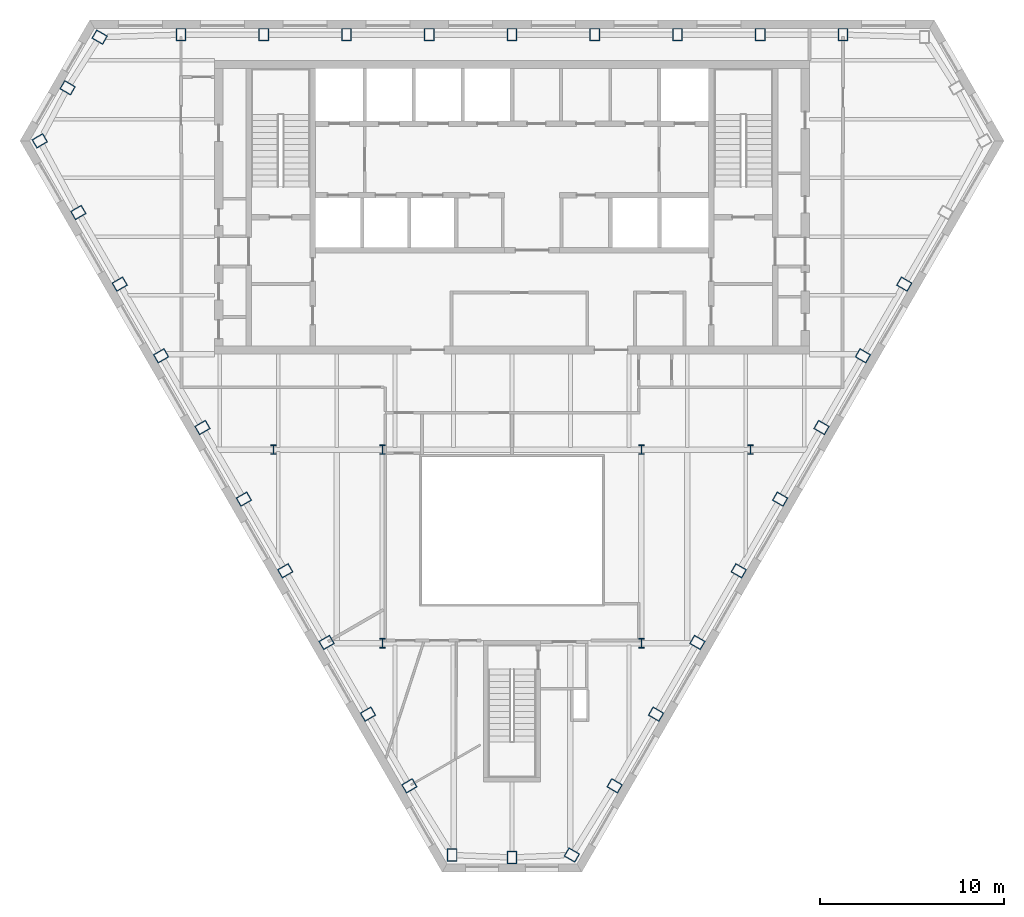
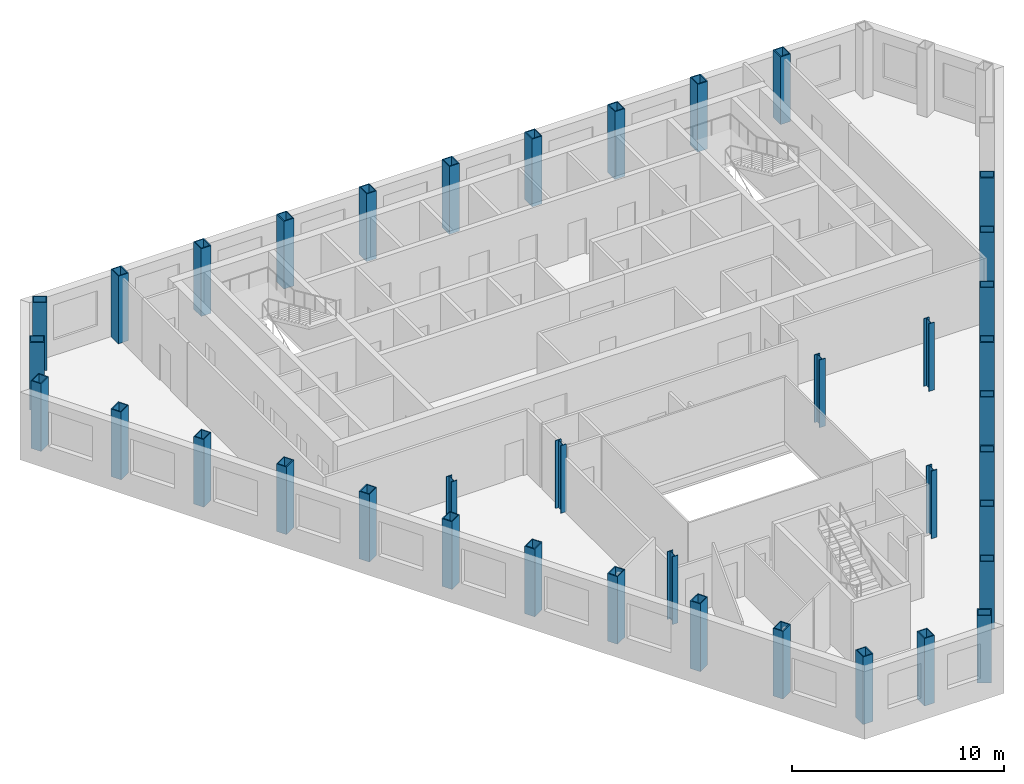
# One storey, part 1 of 10: 38 columns.
"""IFC4 building model written with IfcOpenShell, lengths in metres."""

from ifc_helpers import new_model, si_unit, direction, frame, origin, origin_2d, place, context, subcontext, project, spatial, hollow_rectangle, i_section, extrude, material, material_profile, profile_set, type_object, element, save


model = new_model("IFC4")

# Units and contexts
model_context = context("Model", 3, precision=1e-05, world=origin(), true_north=direction((0.0, 1.0)))
body_context = subcontext(model_context, "Body", "Model", "MODEL_VIEW")
ifc_project = project(units=[si_unit("LENGTHUNIT", "METRE"), si_unit("AREAUNIT", "SQUARE_METRE"), si_unit("VOLUMEUNIT", "CUBIC_METRE"), si_unit("PLANEANGLEUNIT", "RADIAN"), si_unit("MASSUNIT", "GRAM", prefix="KILO")], contexts=[model_context])

# Site, building, storey
site_placement = place(None, origin())
site = spatial("IfcSite", under=ifc_project, at=site_placement, CompositionType="ELEMENT")
building_placement = place(site_placement, origin())
building = spatial("IfcBuilding", under=site, at=building_placement, Name="Njiva Tower", CompositionType="ELEMENT")
storey_placement = place(building_placement, frame((0.0, 0.0, 196.5)))
storey = spatial("IfcBuildingStorey", under=building, at=storey_placement, Name="L43", CompositionType="ELEMENT", Elevation=196.5)

# Columns
ifc_material = material(Name="Steel S355 J2", Category="steel")
ifc_material_profile_1 = material_profile(ifc_material, hollow_rectangle(XDim=0.55, YDim=0.7, WallThickness=0.05, at=origin_2d()), Name="BOX 700x550x50")
ifc_profile_set_1 = profile_set([ifc_material_profile_1], Name="Steel S355 J2")
column_type_1 = type_object("IfcColumnType", Name="C11 Perimeter tube column BOX 700x550x50", PredefinedType="COLUMN", material=ifc_profile_set_1)
for number, where, z_axis, x_axis, name in (
    (1, (18.03, 19.4, 0.0), (0.0, 0.0, 1.0), (-1.0, 0.0, 0.0), "Perimeter tube column S14-C02"),
    (2, (13.523, 19.4, 0.0), (0.0, 0.0, 1.0), (-1.0, 0.0, 0.0), "Perimeter tube column S14-C03"),
    (3, (9.015, 19.4, 0.0), (0.0, 0.0, 1.0), (-1.0, 0.0, 0.0), "Perimeter tube column S14-C04"),
    (4, (4.508, 19.4, 0.0), (0.0, 0.0, 1.0), (-1.0, 0.0, 0.0), "Perimeter tube column S14-C05"),
    (5, (0.0, 19.4, 0.0), (0.0, 0.0, 1.0), (-1.0, 0.0, 0.0), "Perimeter tube column S14-C06"),
    (6, (-4.508, 19.4, 0.0), (0.0, 0.0, 1.0), (-1.0, 0.0, 0.0), "Perimeter tube column S14-C07"),
    (7, (-9.015, 19.4, 0.0), (0.0, 0.0, 1.0), (-1.0, 0.0, 0.0), "Perimeter tube column S14-C08"),
    (8, (-13.523, 19.4, 0.0), (0.0, 0.0, 1.0), (-1.0, 0.0, 0.0), "Perimeter tube column S14-C09"),
    (9, (-18.03, 19.4, 0.0), (0.0, 0.0, 1.0), (-1.0, 0.0, 0.0), "Perimeter tube column S14-C10"),
    (10, (-22.461, 19.267, 0.0), (0.0, 0.0, 1.0), (-0.5, -0.866025403784, 0.0), "Perimeter tube column S14-C11"),
    (11, (-24.207, 16.509, 0.0), (0.0, 0.0, 1.0), (-0.5, -0.866025403784, 0.0), "Perimeter tube column S14-C12"),
    (12, (-25.723, 13.618, 0.0), (0.0, 0.0, 1.0), (0.5, -0.866025403784, 0.0), "Perimeter tube column S14-C13"),
    (13, (-23.622, 9.714, 0.0), (0.0, 0.0, 1.0), (0.5, -0.866025403784, 0.0), "Perimeter tube column S14-C14"),
    (14, (-21.369, 5.811, 0.0), (0.0, 0.0, 1.0), (0.5, -0.866025403784, 0.0), "Perimeter tube column S14-C15"),
    (15, (-19.115, 1.907, 0.0), (0.0, 0.0, 1.0), (0.5, -0.866025403784, 0.0), "Perimeter tube column S14-C16"),
    (16, (-16.861, -1.997, 0.0), (0.0, 0.0, 1.0), (0.5, -0.866025403784, 0.0), "Perimeter tube column S14-C17"),
    (17, (-14.607, -5.9, 0.0), (0.0, 0.0, 1.0), (0.5, -0.866025403784, 0.0), "Perimeter tube column S14-C18"),
    (18, (-12.353, -9.804, 0.0), (0.0, 0.0, 1.0), (0.5, -0.866025403784, 0.0), "Perimeter tube column S14-C19"),
    (19, (-10.1, -13.708, 0.0), (0.0, 0.0, 1.0), (0.5, -0.866025403784, 0.0), "Perimeter tube column S14-C20"),
    (20, (-7.846, -17.612, 0.0), (0.0, 0.0, 1.0), (0.5, -0.866025403784, 0.0), "Perimeter tube column S14-C21"),
    (21, (-5.592, -21.515, 0.0), (0.0, 0.0, 1.0), (0.5, -0.866025403784, 0.0), "Perimeter tube column S14-C22"),
    (22, (-3.261, -25.286, 0.0), (0.0, 0.0, 1.0), (1.0, 0.0, 0.0), "Perimeter tube column S14-C23"),
    (23, (0.0, -25.419, 0.0), (0.0, 0.0, 1.0), (1.0, 0.0, 0.0), "Perimeter tube column S14-C24"),
    (24, (3.261, -25.286, 0.0), (0.0, 0.0, 1.0), (0.5, 0.866025403784, 0.0), "Perimeter tube column S14-C25"),
    (25, (5.592, -21.515, 0.0), (0.0, 0.0, 1.0), (0.5, 0.866025403784, 0.0), "Perimeter tube column S14-C26"),
    (26, (7.846, -17.612, 0.0), (0.0, 0.0, 1.0), (0.5, 0.866025403784, 0.0), "Perimeter tube column S14-C27"),
    (27, (10.1, -13.708, 0.0), (0.0, 0.0, 1.0), (0.5, 0.866025403784, 0.0), "Perimeter tube column S14-C28"),
    (28, (12.353, -9.804, 0.0), (0.0, 0.0, 1.0), (0.5, 0.866025403784, 0.0), "Perimeter tube column S14-C29"),
    (29, (14.607, -5.9, 0.0), (0.0, 0.0, 1.0), (0.5, 0.866025403784, 0.0), "Perimeter tube column S14-C30"),
    (30, (16.861, -1.997, 0.0), (0.0, 0.0, 1.0), (0.5, 0.866025403784, 0.0), "Perimeter tube column S14-C31"),
    (31, (19.115, 1.907, 0.0), (0.0, 0.0, 1.0), (0.5, 0.866025403784, 0.0), "Perimeter tube column S14-C32"),
    (32, (21.369, 5.811, 0.0), (0.0, 0.0, 1.0), (0.5, 0.866025403784, 0.0), "Perimeter tube column S14-C33"),
):
    element("IfcColumn", number, at=place(storey_placement, frame(where, z_axis=z_axis, x_axis=x_axis)), inside=storey, type_object=column_type_1, Name=name, PredefinedType="COLUMN", context=body_context, shape_type="SweptSolid", body=[
        extrude(hollow_rectangle(XDim=0.55, YDim=0.7, WallThickness=0.05, at=origin_2d()), origin(), (0.0, 0.0, 1.0), 3.9),
    ])
ifc_material_profile_2 = material_profile(ifc_material, i_section(OverallWidth=0.306, OverallDepth=0.524, WebThickness=0.021, FlangeThickness=0.04, at=origin_2d()), Name="HEM 500")
ifc_profile_set_2 = profile_set([ifc_material_profile_2], Name="Steel S355 J2")
column_type_2 = type_object("IfcColumnType", Name="C12 Interior column HEM 500", PredefinedType="COLUMN", material=ifc_profile_set_2)
for number, where, z_axis, x_axis, name in (
    (33, (7.05, -3.2, 0.0), (0.0, 0.0, 1.0), (1.0, 0.0, 0.0), "Interior column S14-C37"),
    (34, (-7.05, -3.2, 0.0), (0.0, 0.0, 1.0), (1.0, 0.0, 0.0), "Interior column S14-C38"),
    (35, (7.05, -13.75, 0.0), (0.0, 0.0, 1.0), (1.0, 0.0, 0.0), "Interior column S14-C39"),
    (36, (-7.05, -13.75, 0.0), (0.0, 0.0, 1.0), (1.0, 0.0, 0.0), "Interior column S14-C40"),
    (37, (13.0, -3.2, 0.0), (0.0, 0.0, 1.0), (1.0, 0.0, 0.0), "Interior column S14-C41"),
    (38, (-13.0, -3.2, 0.0), (0.0, 0.0, 1.0), (1.0, 0.0, 0.0), "Interior column S14-C42"),
):
    element("IfcColumn", number, at=place(storey_placement, frame(where, z_axis=z_axis, x_axis=x_axis)), inside=storey, type_object=column_type_2, Name=name, PredefinedType="COLUMN", context=body_context, shape_type="SweptSolid", body=[
        extrude(i_section(OverallWidth=0.306, OverallDepth=0.524, WebThickness=0.021, FlangeThickness=0.04, at=origin_2d()), origin(), (0.0, 0.0, 1.0), 3.9),
    ])

save(model, "model.ifc")
